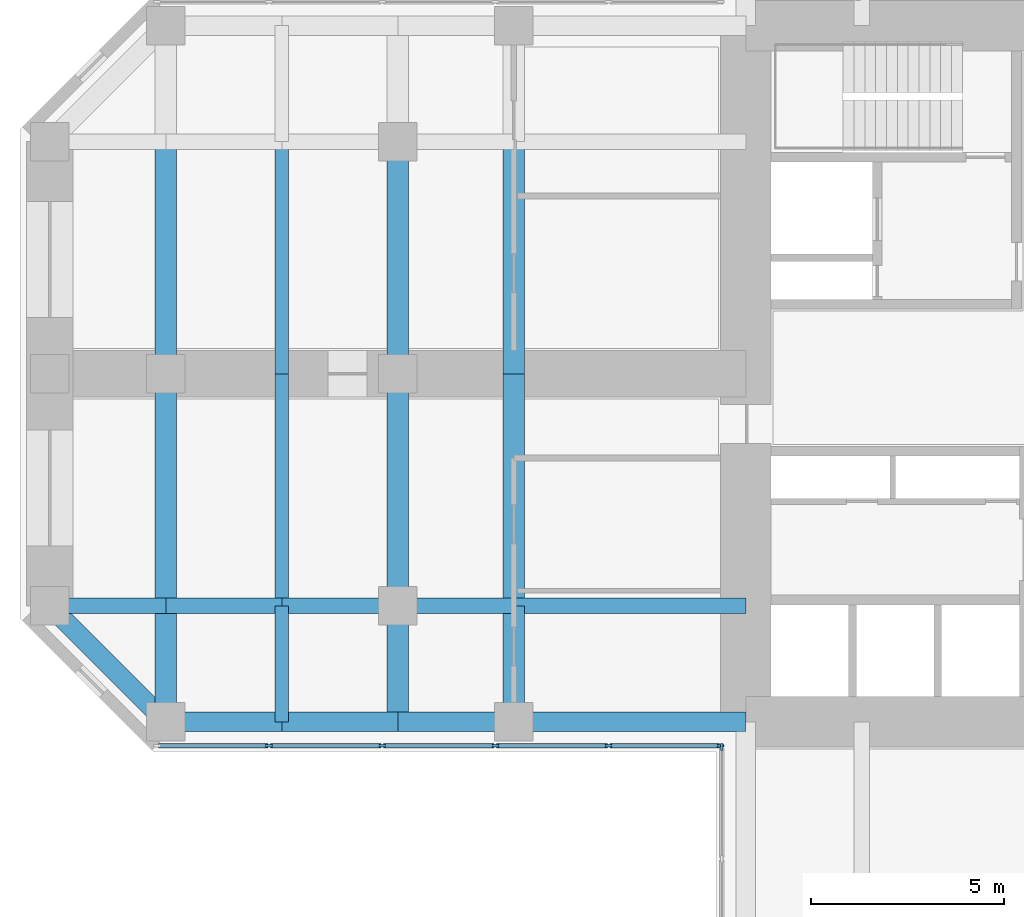
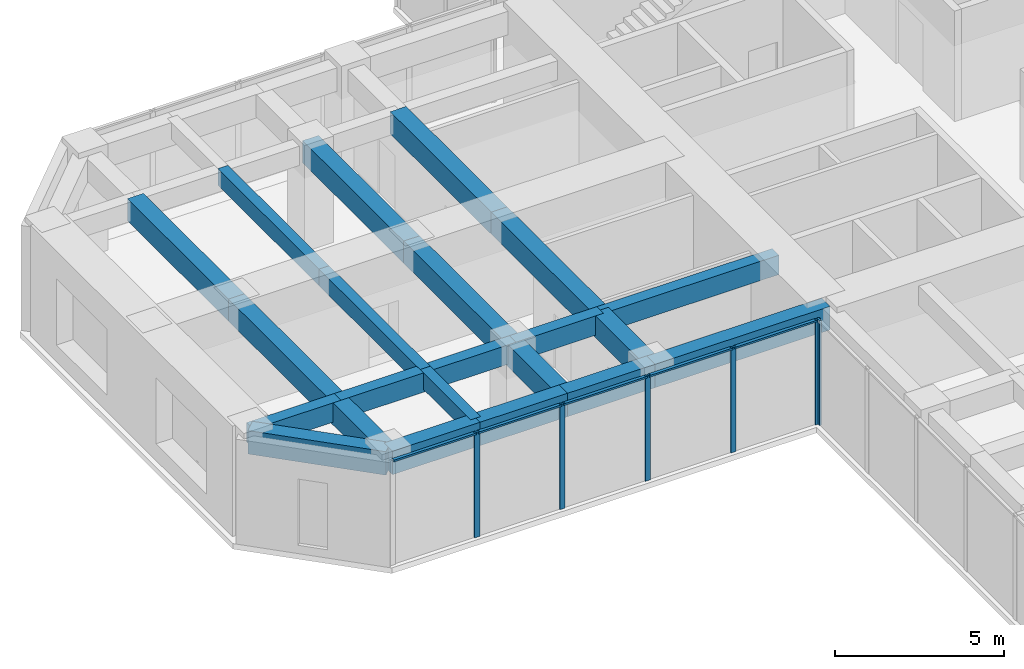
# One storey, part 3 of 12: 22 beams, 11 members, 2 elements without a shape of their own.
"""IFC4 building model written with IfcOpenShell, lengths in metres."""

import ifcopenshell
import ifcopenshell.guid

model = None  # the IFC model being written
_history = None  # IfcOwnerHistory: only IFC2X3 demands one
_inside = {}  # id of a spatial element -> (the spatial element, [elements in it])
_under = {}  # id of a project, library or spatial element -> (it, [spatial elements below it])
_declared = {}  # id of a project -> (the project, [libraries it declares])
_typed = {}  # id of a type object -> (the type object, [elements of that type])
_made_of = {}  # id of a material, layer set ... -> (it, [elements and type objects made of it])


def new_model(schema):
    """Start an empty IFC model of exactly this schema.

    Asked for "IFC4X3", IfcOpenShell would pick the latest addendum, in which some entities
    have other attributes; the version numbers below select the first issue.
    IFC2X3 requires an IfcOwnerHistory on every rooted entity: one is made here for all.
    """
    global model, _history
    if schema == "IFC4X3":
        model = ifcopenshell.file(schema_version=(4, 3, 0, 0))
    else:
        model = ifcopenshell.file(schema=schema)
    _inside.clear()
    _under.clear()
    _declared.clear()
    _typed.clear()
    _made_of.clear()
    _history = None
    if model.schema == "IFC2X3":
        org = make("IfcOrganization", Name="unknown")
        user = make(
            "IfcPersonAndOrganization",
            ThePerson=make("IfcPerson", FamilyName="unknown"),
            TheOrganization=org,
        )
        app = make(
            "IfcApplication",
            ApplicationDeveloper=org,
            Version="unknown",
            ApplicationFullName="unknown",
            ApplicationIdentifier="unknown",
        )
        _history = make(
            "IfcOwnerHistory",
            OwningUser=user,
            OwningApplication=app,
            ChangeAction="ADDED",
            CreationDate=0,
        )
    return model


def make(cls, **values):
    """One entity of the class cls with the attributes given. An attribute that is None is left unset."""
    return model.create_entity(
        cls, **{name: value for name, value in values.items() if value is not None}
    )


def rooted(cls, **values):
    """An entity with a GlobalId (a new one), such as an element, a storey or a relation."""
    return make(cls, GlobalId=ifcopenshell.guid.new(), OwnerHistory=_history, **values)


def si_unit(unit_type, name, prefix=None):
    """IfcSIUnit, for example si_unit("LENGTHUNIT", "METRE", prefix="MILLI")."""
    return make("IfcSIUnit", UnitType=unit_type, Prefix=prefix, Name=name)


def assignment(units):
    """IfcUnitAssignment: the units of a project."""
    return None if units is None else make("IfcUnitAssignment", Units=units)


def point(xyz):
    """IfcCartesianPoint."""
    return None if xyz is None else make("IfcCartesianPoint", Coordinates=xyz)


def direction(xyz):
    """IfcDirection."""
    return None if xyz is None else make("IfcDirection", DirectionRatios=xyz)


def frame(location, z_axis=None, x_axis=None):
    """IfcAxis2Placement3D, a coordinate frame: its origin and axes. An axis left out is left unset."""
    return make(
        "IfcAxis2Placement3D",
        Location=point(location),
        Axis=direction(z_axis),
        RefDirection=direction(x_axis),
    )


def frame_2d(location, x_axis=None):
    """IfcAxis2Placement2D, a coordinate frame in the plane: its origin and x axis."""
    return make(
        "IfcAxis2Placement2D", Location=point(location), RefDirection=direction(x_axis)
    )


def origin():
    """The frame at (0, 0, 0) with its axes left unset."""
    return frame((0.0, 0.0, 0.0))


def origin_2d():
    """The frame at (0, 0) in the plane with its x axis left unset."""
    return frame_2d((0.0, 0.0))


def place(relative_to, where):
    """IfcLocalPlacement: puts the frame where relative to a parent placement (None: the world)."""
    return make(
        "IfcLocalPlacement", PlacementRelTo=relative_to, RelativePlacement=where
    )


def context(
    kind, dimensions, precision=None, world=None, true_north=None, identifier=None
):
    """IfcGeometricRepresentationContext, for example the 3D "Model" context."""
    return make(
        "IfcGeometricRepresentationContext",
        ContextIdentifier=identifier,
        ContextType=kind,
        CoordinateSpaceDimension=dimensions,
        Precision=precision,
        WorldCoordinateSystem=world,
        TrueNorth=true_north,
    )


def subcontext(parent, identifier, kind, view, scale=None):
    """IfcGeometricRepresentationSubContext, for example "Body" below "Model"."""
    return make(
        "IfcGeometricRepresentationSubContext",
        ContextIdentifier=identifier,
        ContextType=kind,
        ParentContext=parent,
        TargetScale=scale,
        TargetView=view,
    )


def project(units=None, contexts=None):
    """IfcProject with its units and contexts."""
    return rooted(
        "IfcProject",
        Name="project",
        RepresentationContexts=contexts,
        UnitsInContext=assignment(units),
    )


def spatial(cls, under=None, at=None, **own):
    """A site, building, storey or space (cls), placed at a placement, below another one or the project."""
    s = rooted(cls, ObjectPlacement=at, **own)
    if under is not None:
        _under.setdefault(under.id(), (under, []))[1].append(s)
    return s


def profile(cls, at=None, kind="AREA", **sizes):
    """A parametric profile (cls). Its sizes go by their IFC names, for example OverallWidth=200.0."""
    return make(cls, ProfileType=kind, Position=at, **sizes)


def rectangle(**sizes):
    """IfcRectangleProfileDef."""
    return profile("IfcRectangleProfileDef", **sizes)


def extrude(swept, where, along, depth):
    """IfcExtrudedAreaSolid: the profile swept, set in the frame where, extruded along a direction by depth."""
    return make(
        "IfcExtrudedAreaSolid",
        SweptArea=swept,
        Position=where,
        ExtrudedDirection=direction(along),
        Depth=depth,
    )


def shape(context_of_items, identifier, shape_type, items):
    """IfcShapeRepresentation: the items that make up one representation, for example the "Body"."""
    return make(
        "IfcShapeRepresentation",
        ContextOfItems=context_of_items,
        RepresentationIdentifier=identifier,
        RepresentationType=shape_type,
        Items=items,
    )


def material(Name=None, Category=None):
    """IfcMaterial."""
    return make("IfcMaterial", Name=Name, Category=Category)


def material_profile(
    of_material, cross_section, Name=None, Category=None, Priority=None
):
    """IfcMaterialProfile: a cross section and its material."""
    return make(
        "IfcMaterialProfile",
        Name=Name,
        Material=of_material,
        Profile=cross_section,
        Priority=Priority,
        Category=Category,
    )


def profile_set(profiles, Name=None, composite=None):
    """IfcMaterialProfileSet."""
    return make(
        "IfcMaterialProfileSet",
        Name=Name,
        MaterialProfiles=profiles,
        CompositeProfile=composite,
    )


def made_of(thing, what):
    """Note that an element or type object is made of a material, layer set ...; save() writes the relation."""
    if what is not None:
        _made_of.setdefault(what.id(), (what, []))[1].append(thing)
    return thing


def type_object(cls, material=None, **own):
    """A type object (cls), such as IfcWallType, which elements share."""
    return made_of(rooted(cls, **own), material)


def element(
    cls,
    number,
    at=None,
    inside=None,
    cuts=None,
    type_object=None,
    material=None,
    context=None,
    identifier="Body",
    shape_type=None,
    held_by="IfcProductDefinitionShape",
    body=None,
    shapes=None,
    **own,
):
    """One element of the class cls, such as IfcWall. Its Tag is "e" and its number.

    at: its placement. inside: the storey or other place that contains it. cuts: it is an
    opening in that element (IfcRelVoidsElement). A single representation is given by context,
    identifier, shape_type and body (its items); several are given by shapes. held_by: the class
    of the entity that holds the representations. save() writes the other relations.
    """
    e = rooted(cls, Tag="e%d" % number, ObjectPlacement=at, **own)
    if body is not None:
        shapes = [shape(context, identifier, shape_type, body)]
    if shapes is not None:
        e.Representation = make(held_by, Representations=shapes)
    if inside is not None:
        _inside.setdefault(inside.id(), (inside, []))[1].append(e)
    if cuts is not None:
        rooted(
            "IfcRelVoidsElement", RelatingBuildingElement=cuts, RelatedOpeningElement=e
        )
    if type_object is not None:
        _typed.setdefault(type_object.id(), (type_object, []))[1].append(e)
    return made_of(e, material)


def aggregate(whole, parts):
    """IfcRelAggregates: a whole, such as a stair, and the parts it consists of."""
    return rooted("IfcRelAggregates", RelatingObject=whole, RelatedObjects=parts)


def save(model, path):
    """Write the relations noted so far, then the file.

    IfcRelAggregates (storeys below a building ...), IfcRelContainedInSpatialStructure (elements
    in a storey), IfcRelDefinesByType, IfcRelAssociatesMaterial and IfcRelDeclares: one each for
    every whole, place, type object, material and project.
    """
    for whole, parts in _under.values():
        aggregate(whole, parts)
    for where, things in _inside.values():
        rooted(
            "IfcRelContainedInSpatialStructure",
            RelatedElements=things,
            RelatingStructure=where,
        )
    for kind, things in _typed.values():
        rooted("IfcRelDefinesByType", RelatedObjects=things, RelatingType=kind)
    for what, things in _made_of.values():
        rooted("IfcRelAssociatesMaterial", RelatedObjects=things, RelatingMaterial=what)
    for by, libraries in _declared.values():
        rooted("IfcRelDeclares", RelatingContext=by, RelatedDefinitions=libraries)
    model.write(path)


model = new_model("IFC4")

# Units and contexts
model_context = context("Model", 3, precision=1e-05, world=origin(), true_north=direction((0.0, 1.0)))
body_context = subcontext(model_context, "Body", "Model", "MODEL_VIEW")
ifc_project = project(units=[si_unit("LENGTHUNIT", "METRE"), si_unit("AREAUNIT", "SQUARE_METRE"), si_unit("VOLUMEUNIT", "CUBIC_METRE"), si_unit("PLANEANGLEUNIT", "RADIAN"), si_unit("MASSUNIT", "GRAM", prefix="KILO")], contexts=[model_context])

# Site, building, storey
site_placement = place(None, origin())
site = spatial("IfcSite", under=ifc_project, at=site_placement, CompositionType="ELEMENT")
building_placement = place(site_placement, origin())
building = spatial("IfcBuilding", under=site, at=building_placement, Name="Torre Cruceta", CompositionType="ELEMENT")
storey_placement = place(building_placement, frame((0.0, 0.0, 148.5)))
storey = spatial("IfcBuildingStorey", under=building, at=storey_placement, Name="L36", CompositionType="ELEMENT", Elevation=148.5)

# Beams
ifc_material_1 = material(Name="Concrete G60 (fck 60 MPa)", Category="concrete")
ifc_material_profile_1 = material_profile(ifc_material_1, rectangle(XDim=0.39990234375, YDim=0.699951171875, at=origin_2d()), Name="RC 400X700")
ifc_profile_set_1 = profile_set([ifc_material_profile_1], Name="Concrete G60 (fck 60 MPa)")
beam_type_1 = type_object("IfcBeamType", Name="COLUMN LINE BEAM RC 400X700", PredefinedType="BEAM", material=ifc_profile_set_1)
beam_1_placement = place(storey_placement, frame((-9.0, -6.0, 3.449951171875), z_axis=(-1.0, 0.0, 0.0), x_axis=(0.0, -1.0, 0.0)))
element("IfcBeam", 1, at=beam_1_placement, inside=storey, type_object=beam_type_1, Name="LB5 L36 W col+ 1", PredefinedType="BEAM", context=body_context, shape_type="SweptSolid", body=[
    extrude(rectangle(XDim=0.39990234375, YDim=0.699951171875, at=origin_2d()), origin(), (0.0, 0.0, 1.0), 6.0),
])
for number, where, z_axis, x_axis, name in (
    (2, (-15.0, -6.0, 3.449951171875), (-1.0, 0.0, 0.0), (0.0, -1.0, 0.0), "LB5 L36 W col+ 2"),
    (3, (-18.0, -6.0, 3.449951171875), (-1.0, 0.0, 0.0), (0.0, -1.0, 0.0), "LB5 L36 W col+ 3"),
    (4, (-21.0, -6.0, 3.449951171875), (-1.0, 0.0, 0.0), (0.0, -1.0, 0.0), "LB5 L36 W col+ 4"),
    (5, (-24.0, -6.0, 3.449951171875), (-1.0, 0.0, 0.0), (0.0, -1.0, 0.0), "LB5 L36 W col+ 5"),
):
    element("IfcBeam", number, at=place(storey_placement, frame(where, z_axis=z_axis, x_axis=x_axis)), inside=storey, type_object=beam_type_1, Name=name, PredefinedType="BEAM", context=body_context, shape_type="SweptSolid", body=[
        extrude(rectangle(XDim=0.39990234375, YDim=0.699951171875, at=origin_2d()), origin(), (0.0, 0.0, 1.0), 3.0),
    ])
ifc_material_2 = material(Name="Concrete G60 (fck 60 MPa)", Category="concrete")
ifc_material_profile_2 = material_profile(ifc_material_2, rectangle(XDim=0.550048828125, YDim=0.800048828125, at=origin_2d()), Name="RC 550X800")
ifc_profile_set_2 = profile_set([ifc_material_profile_2], Name="Concrete G60 (fck 60 MPa)")
beam_type_2 = type_object("IfcBeamType", Name="CROSS BEAM RC 550X800", PredefinedType="BEAM", material=ifc_profile_set_2)
for number, where, z_axis, x_axis, name in (
    (6, (-15.0, 6.0, 3.39990234375), (0.0, -1.0, 0.0), (1.0, 0.0, 0.0), "GB5 L36 W cross15 2"),
    (7, (-15.0, 0.0, 3.39990234375), (0.0, -1.0, 0.0), (1.0, 0.0, 0.0), "GB5 L36 W cross15 3"),
):
    element("IfcBeam", number, at=place(storey_placement, frame(where, z_axis=z_axis, x_axis=x_axis)), inside=storey, type_object=beam_type_2, Name=name, PredefinedType="BEAM", context=body_context, shape_type="SweptSolid", body=[
        extrude(rectangle(XDim=0.550048828125, YDim=0.800048828125, at=origin_2d()), origin(), (0.0, 0.0, 1.0), 6.0),
    ])
beam_2_placement = place(storey_placement, frame((-15.0, -6.0, 3.39990234375), z_axis=(0.0, -1.0, 0.0), x_axis=(1.0, 0.0, 0.0)))
element("IfcBeam", 8, at=beam_2_placement, inside=storey, type_object=beam_type_2, Name="GB5 L36 W cross15 4", PredefinedType="BEAM", context=body_context, shape_type="SweptSolid", body=[
    extrude(rectangle(XDim=0.550048828125, YDim=0.800048828125, at=origin_2d()), origin(), (0.0, 0.0, 1.0), 3.0),
])
for number, where, z_axis, x_axis, name in (
    (9, (-18.0, 6.0, 3.39990234375), (0.0, -1.0, 0.0), (1.0, 0.0, 0.0), "GB5 L36 W cross18 2"),
    (10, (-18.0, 0.0, 3.39990234375), (0.0, -1.0, 0.0), (1.0, 0.0, 0.0), "GB5 L36 W cross18 3"),
):
    element("IfcBeam", number, at=place(storey_placement, frame(where, z_axis=z_axis, x_axis=x_axis)), inside=storey, type_object=beam_type_2, Name=name, PredefinedType="BEAM", context=body_context, shape_type="SweptSolid", body=[
        extrude(rectangle(XDim=0.550048828125, YDim=0.800048828125, at=origin_2d()), origin(), (0.0, 0.0, 1.0), 6.0),
    ])
beam_3_placement = place(storey_placement, frame((-18.0, -6.0, 3.39990234375), z_axis=(0.0, -1.0, 0.0), x_axis=(1.0, 0.0, 0.0)))
element("IfcBeam", 11, at=beam_3_placement, inside=storey, type_object=beam_type_2, Name="GB5 L36 W cross18 4", PredefinedType="BEAM", context=body_context, shape_type="SweptSolid", body=[
    extrude(rectangle(XDim=0.550048828125, YDim=0.800048828125, at=origin_2d()), origin(), (0.0, 0.0, 1.0), 3.0),
])
for number, where, z_axis, x_axis, name in (
    (12, (-24.0, 6.0, 3.39990234375), (0.0, -1.0, 0.0), (1.0, 0.0, 0.0), "GB5 L36 W cross24 2"),
    (13, (-24.0, 0.0, 3.39990234375), (0.0, -1.0, 0.0), (1.0, 0.0, 0.0), "GB5 L36 W cross24 3"),
):
    element("IfcBeam", number, at=place(storey_placement, frame(where, z_axis=z_axis, x_axis=x_axis)), inside=storey, type_object=beam_type_2, Name=name, PredefinedType="BEAM", context=body_context, shape_type="SweptSolid", body=[
        extrude(rectangle(XDim=0.550048828125, YDim=0.800048828125, at=origin_2d()), origin(), (0.0, 0.0, 1.0), 6.0),
    ])
beam_4_placement = place(storey_placement, frame((-24.0, -6.0, 3.39990234375), z_axis=(0.0, -1.0, 0.0), x_axis=(1.0, 0.0, 0.0)))
element("IfcBeam", 14, at=beam_4_placement, inside=storey, type_object=beam_type_2, Name="GB5 L36 W cross24 4", PredefinedType="BEAM", context=body_context, shape_type="SweptSolid", body=[
    extrude(rectangle(XDim=0.550048828125, YDim=0.800048828125, at=origin_2d()), origin(), (0.0, 0.0, 1.0), 3.0),
])

# Curtain wall, members
ifc_material_3 = material(Name="Aluminium unitised curtain wall", Category="aluminium")
curtain_wall_type = type_object("IfcCurtainWallType", Name="CURTAIN WALL CW-B OFFICE MID RISE", PredefinedType="USERDEFINED", material=ifc_material_3)
curtain_wall_1_placement = place(storey_placement, origin())
curtain_wall_1 = element("IfcCurtainWall", 15, at=curtain_wall_1_placement, inside=storey, type_object=curtain_wall_type, Name="CW-B L36 W side 14", ObjectType="UNITISED", PredefinedType="USERDEFINED")
ifc_material_4 = material(Name="Aluminium mullion", Category="aluminium")
ifc_material_profile_3 = material_profile(ifc_material_4, rectangle(XDim=0.06494140625, YDim=0.179931640625, at=origin_2d()), Name="AL 65X180")
ifc_profile_set_3 = profile_set([ifc_material_profile_3], Name="Aluminium mullion")
member_type_1 = type_object("IfcMemberType", Name="CW-B MULLION 65X180", PredefinedType="MULLION", material=ifc_profile_set_3)
member_1_placement = place(storey_placement, frame((-21.329345703125, -9.6201171875, 0.0), z_axis=(0.0, 0.0, 1.0), x_axis=(0.0, 1.0, 0.0)))
member_1 = element("IfcMember", 16, at=member_1_placement, type_object=member_type_1, Name="CW-B mullion 2", PredefinedType="MULLION", context=body_context, shape_type="SweptSolid", body=[
    extrude(rectangle(XDim=0.06494140625, YDim=0.179931640625, at=origin_2d()), origin(), (0.0, 0.0, 1.0), 3.800048828125),
])
member_2_placement = place(storey_placement, frame((-18.402099609375, -9.6201171875, 0.0), z_axis=(0.0, 0.0, 1.0), x_axis=(0.0, 1.0, 0.0)))
member_2 = element("IfcMember", 17, at=member_2_placement, type_object=member_type_1, Name="CW-B mullion 3", PredefinedType="MULLION", context=body_context, shape_type="SweptSolid", body=[
    extrude(rectangle(XDim=0.06494140625, YDim=0.179931640625, at=origin_2d()), origin(), (0.0, 0.0, 1.0), 3.800048828125),
])
member_3_placement = place(storey_placement, frame((-15.474609375, -9.6201171875, 0.0), z_axis=(0.0, 0.0, 1.0), x_axis=(0.0, 1.0, 0.0)))
member_3 = element("IfcMember", 18, at=member_3_placement, type_object=member_type_1, Name="CW-B mullion 4", PredefinedType="MULLION", context=body_context, shape_type="SweptSolid", body=[
    extrude(rectangle(XDim=0.06494140625, YDim=0.179931640625, at=origin_2d()), origin(), (0.0, 0.0, 1.0), 3.800048828125),
])
member_4_placement = place(storey_placement, frame((-12.54736328125, -9.6201171875, 0.0), z_axis=(0.0, 0.0, 1.0), x_axis=(0.0, 1.0, 0.0)))
member_4 = element("IfcMember", 19, at=member_4_placement, type_object=member_type_1, Name="CW-B mullion 5", PredefinedType="MULLION", context=body_context, shape_type="SweptSolid", body=[
    extrude(rectangle(XDim=0.06494140625, YDim=0.179931640625, at=origin_2d()), origin(), (0.0, 0.0, 1.0), 3.800048828125),
])
member_5_placement = place(storey_placement, frame((-9.652587890625, -9.6201171875, 0.0), z_axis=(0.0, 0.0, 1.0), x_axis=(0.0, 1.0, 0.0)))
member_5 = element("IfcMember", 20, at=member_5_placement, type_object=member_type_1, Name="CW-B mullion 6", PredefinedType="MULLION", context=body_context, shape_type="SweptSolid", body=[
    extrude(rectangle(XDim=0.06494140625, YDim=0.179931640625, at=origin_2d()), origin(), (0.0, 0.0, 1.0), 3.800048828125),
])

# Curtain wall, member
curtain_wall_2_placement = place(storey_placement, origin())
curtain_wall_2 = element("IfcCurtainWall", 21, at=curtain_wall_2_placement, inside=storey, type_object=curtain_wall_type, Name="CW-B L36 S side 15", ObjectType="UNITISED", PredefinedType="USERDEFINED")
member_6_placement = place(storey_placement, frame((-9.6201171875, -9.652587890625, 0.0), z_axis=(0.0, 0.0, 1.0), x_axis=(1.0, 0.0, 0.0)))
member_6 = element("IfcMember", 22, at=member_6_placement, type_object=member_type_1, Name="CW-B mullion 1", PredefinedType="MULLION", context=body_context, shape_type="SweptSolid", body=[
    extrude(rectangle(XDim=0.06494140625, YDim=0.179931640625, at=origin_2d()), origin(), (0.0, 0.0, 1.0), 3.800048828125),
])
aggregate(curtain_wall_2, [member_6])

# Member
ifc_material_5 = material(Name="Aluminium transom", Category="aluminium")
ifc_material_profile_4 = material_profile(ifc_material_5, rectangle(XDim=0.110107421875, YDim=0.06494140625, at=origin_2d()), Name="AL 110X65")
ifc_profile_set_4 = profile_set([ifc_material_profile_4], Name="Aluminium transom")
member_type_2 = type_object("IfcMemberType", Name="CW-B TRANSOM 65X110", PredefinedType="USERDEFINED", material=ifc_profile_set_4)
member_7_placement = place(storey_placement, frame((-24.19189453125, -9.6201171875, 3.767578125), z_axis=(1.0, 0.0, 0.0), x_axis=(0.0, 1.0, 0.0)))
member_7 = element("IfcMember", 23, at=member_7_placement, type_object=member_type_2, Name="CW-B transom 1", ObjectType="TRANSOM", PredefinedType="USERDEFINED", context=body_context, shape_type="SweptSolid", body=[
    extrude(rectangle(XDim=0.110107421875, YDim=0.06494140625, at=origin_2d()), origin(), (0.0, 0.0, 1.0), 2.829833984375),
])

member_8_placement = place(storey_placement, frame((-21.296875, -9.6201171875, 3.767578125), z_axis=(1.0, 0.0, 0.0), x_axis=(0.0, 1.0, 0.0)))
member_8 = element("IfcMember", 24, at=member_8_placement, type_object=member_type_2, Name="CW-B transom 2", ObjectType="TRANSOM", PredefinedType="USERDEFINED", context=body_context, shape_type="SweptSolid", body=[
    extrude(rectangle(XDim=0.110107421875, YDim=0.06494140625, at=origin_2d()), origin(), (0.0, 0.0, 1.0), 2.8623046875),
])

member_9_placement = place(storey_placement, frame((-18.36962890625, -9.6201171875, 3.767578125), z_axis=(1.0, 0.0, 0.0), x_axis=(0.0, 1.0, 0.0)))
member_9 = element("IfcMember", 25, at=member_9_placement, type_object=member_type_2, Name="CW-B transom 3", ObjectType="TRANSOM", PredefinedType="USERDEFINED", context=body_context, shape_type="SweptSolid", body=[
    extrude(rectangle(XDim=0.110107421875, YDim=0.06494140625, at=origin_2d()), origin(), (0.0, 0.0, 1.0), 2.8623046875),
])

member_10_placement = place(storey_placement, frame((-15.442138671875, -9.6201171875, 3.767578125), z_axis=(1.0, 0.0, 0.0), x_axis=(0.0, 1.0, 0.0)))
member_10 = element("IfcMember", 26, at=member_10_placement, type_object=member_type_2, Name="CW-B transom 4", ObjectType="TRANSOM", PredefinedType="USERDEFINED", context=body_context, shape_type="SweptSolid", body=[
    extrude(rectangle(XDim=0.110107421875, YDim=0.06494140625, at=origin_2d()), origin(), (0.0, 0.0, 1.0), 2.8623046875),
])

member_11_placement = place(storey_placement, frame((-12.514892578125, -9.6201171875, 3.767578125), z_axis=(1.0, 0.0, 0.0), x_axis=(0.0, 1.0, 0.0)))
member_11 = element("IfcMember", 27, at=member_11_placement, type_object=member_type_2, Name="CW-B transom 5", ObjectType="TRANSOM", PredefinedType="USERDEFINED", context=body_context, shape_type="SweptSolid", body=[
    extrude(rectangle(XDim=0.110107421875, YDim=0.06494140625, at=origin_2d()), origin(), (0.0, 0.0, 1.0), 2.829833984375),
])

aggregate(curtain_wall_1, [member_1, member_2, member_3, member_4, member_5, member_7, member_8, member_9, member_10, member_11])

# Beams
ifc_material_6 = material(Name="Concrete G60 (fck 60 MPa)", Category="concrete")
ifc_material_profile_5 = material_profile(ifc_material_6, rectangle(XDim=0.35009765625, YDim=0.60009765625, at=origin_2d()), Name="RC 350X600")
ifc_profile_set_5 = profile_set([ifc_material_profile_5], Name="Concrete G60 (fck 60 MPa)")
beam_type_3 = type_object("IfcBeamType", Name="SECONDARY BEAM RC 350X600", PredefinedType="JOIST", material=ifc_profile_set_5)
for number, where, z_axis, x_axis, name in (
    (28, (-21.0, 6.0, 3.5), (0.0, -1.0, 0.0), (1.0, 0.0, 0.0), "JB5 L36 W sec21 2"),
    (29, (-21.0, 0.0, 3.5), (0.0, -1.0, 0.0), (1.0, 0.0, 0.0), "JB5 L36 W sec21 3"),
):
    element("IfcBeam", number, at=place(storey_placement, frame(where, z_axis=z_axis, x_axis=x_axis)), inside=storey, type_object=beam_type_3, Name=name, PredefinedType="JOIST", context=body_context, shape_type="SweptSolid", body=[
        extrude(rectangle(XDim=0.35009765625, YDim=0.60009765625, at=origin_2d()), origin(), (0.0, 0.0, 1.0), 6.0),
    ])
beam_5_placement = place(storey_placement, frame((-21.0, -6.0, 3.5), z_axis=(0.0, -1.0, 0.0), x_axis=(1.0, 0.0, 0.0)))
element("IfcBeam", 30, at=beam_5_placement, inside=storey, type_object=beam_type_3, Name="JB5 L36 W sec21 4", PredefinedType="JOIST", context=body_context, shape_type="SweptSolid", body=[
    extrude(rectangle(XDim=0.35009765625, YDim=0.60009765625, at=origin_2d()), origin(), (0.0, 0.0, 1.0), 3.0),
])
ifc_material_7 = material(Name="Concrete G60 (fck 60 MPa)", Category="concrete")
ifc_material_profile_6 = material_profile(ifc_material_7, rectangle(XDim=0.5, YDim=0.85009765625, at=origin_2d()), Name="RC 500X850")
ifc_profile_set_6 = profile_set([ifc_material_profile_6], Name="Concrete G60 (fck 60 MPa)")
beam_type_4 = type_object("IfcBeamType", Name="SPANDREL BEAM RC 500X850", PredefinedType="SPANDREL", material=ifc_profile_set_6)
beam_6_placement = place(storey_placement, frame((-9.0, -9.0, 3.375), z_axis=(-1.0, 0.0, 0.0), x_axis=(0.0, -1.0, 0.0)))
element("IfcBeam", 31, at=beam_6_placement, inside=storey, type_object=beam_type_4, Name="SB5 L36 W side+ 1", PredefinedType="SPANDREL", context=body_context, shape_type="SweptSolid", body=[
    extrude(rectangle(XDim=0.5, YDim=0.85009765625, at=origin_2d()), origin(), (0.0, 0.0, 1.0), 6.0),
])
for number, where, z_axis, x_axis, name in (
    (32, (-15.0, -9.0, 3.375), (-1.0, 0.0, 0.0), (0.0, -1.0, 0.0), "SB5 L36 W side+ 2"),
    (33, (-18.0, -9.0, 3.375), (-1.0, 0.0, 0.0), (0.0, -1.0, 0.0), "SB5 L36 W side+ 3"),
    (34, (-21.0, -9.0, 3.375), (-1.0, 0.0, 0.0), (0.0, -1.0, 0.0), "SB5 L36 W side+ 4"),
):
    element("IfcBeam", number, at=place(storey_placement, frame(where, z_axis=z_axis, x_axis=x_axis)), inside=storey, type_object=beam_type_4, Name=name, PredefinedType="SPANDREL", context=body_context, shape_type="SweptSolid", body=[
        extrude(rectangle(XDim=0.5, YDim=0.85009765625, at=origin_2d()), origin(), (0.0, 0.0, 1.0), 3.0),
    ])
beam_7_placement = place(storey_placement, frame((-24.0, -9.0, 3.375), z_axis=(-0.707106781187, 0.707106781187, 0.0), x_axis=(-0.707106781187, -0.707106781187, 0.0)))
element("IfcBeam", 35, at=beam_7_placement, inside=storey, type_object=beam_type_4, Name="SB5 L36 W side+ 5", PredefinedType="SPANDREL", context=body_context, shape_type="SweptSolid", body=[
    extrude(rectangle(XDim=0.5, YDim=0.85009765625, at=origin_2d()), origin(), (0.0, 0.0, 1.0), 4.24267578125),
])

save(model, "model.ifc")
